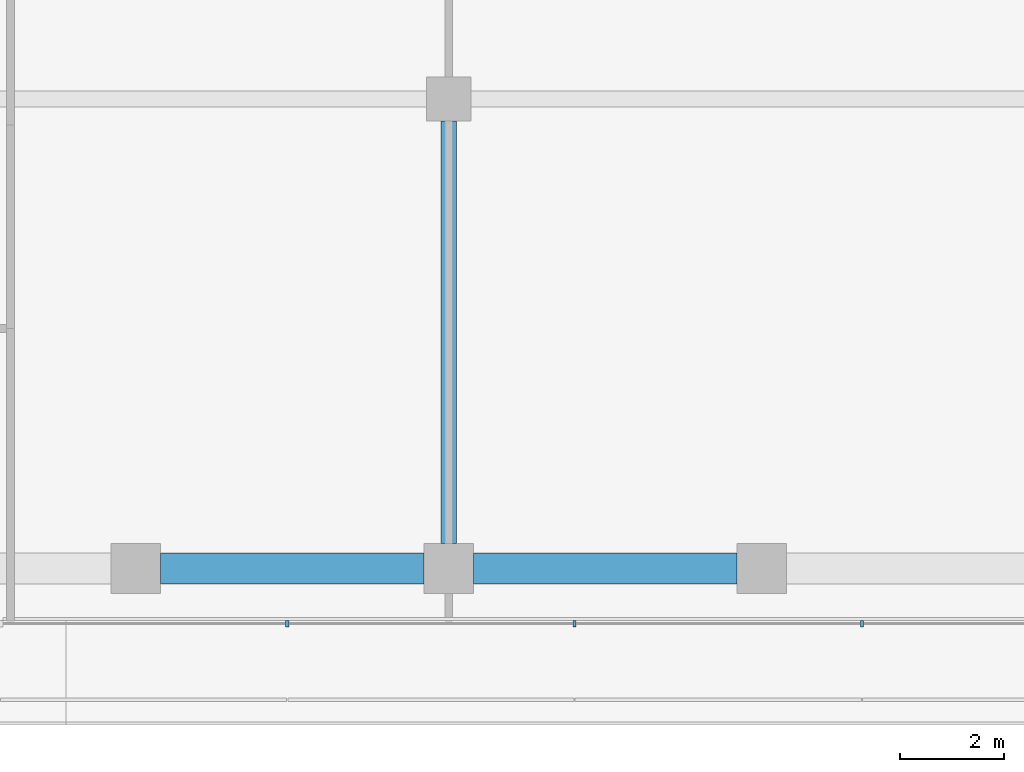
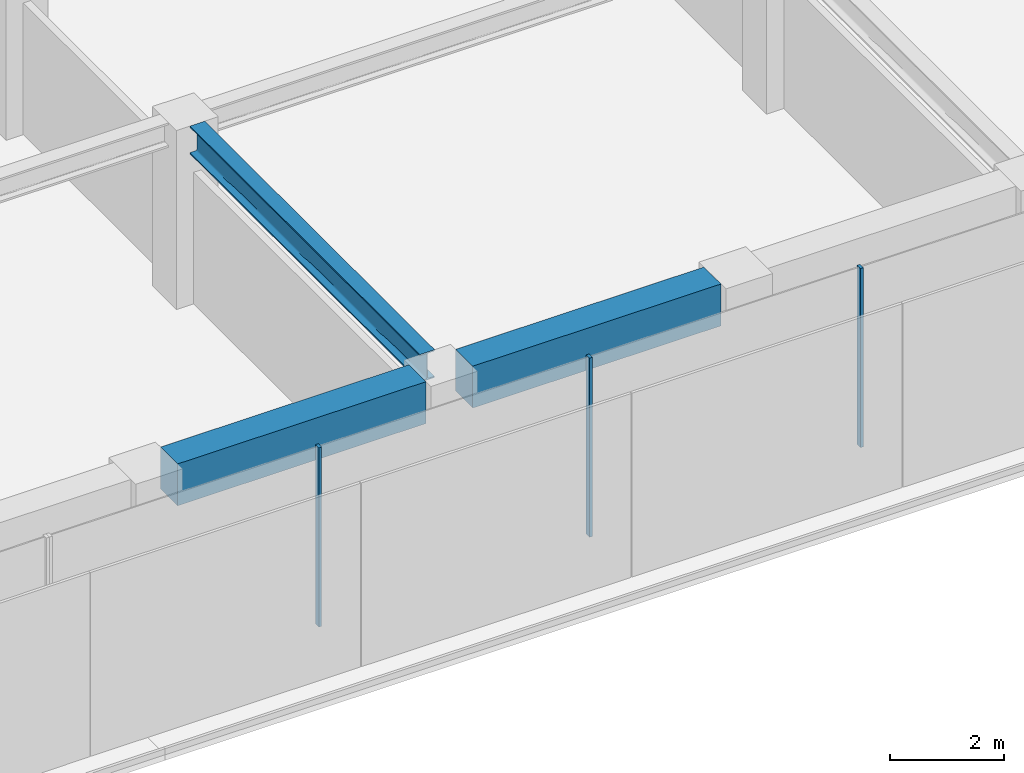
# One storey, part 6 of 28: 3 beams, 3 members, 1 element without a shape of its own.
"""IFC4 building model written with IfcOpenShell, lengths in metres."""

from ifc_helpers import new_model, si_unit, direction, frame, origin, origin_2d, place, context, subcontext, project, spatial, rectangle, i_section, extrude, material, layer, layer_set, material_profile, profile_set, type_object, element, aggregate, save


model = new_model("IFC4")

# Units and contexts
model_context = context("Model", 3, precision=1e-05, world=origin(), true_north=direction((0.0, 1.0)))
body_context = subcontext(model_context, "Body", "Model", "MODEL_VIEW")
ifc_project = project(units=[si_unit("LENGTHUNIT", "METRE"), si_unit("AREAUNIT", "SQUARE_METRE"), si_unit("VOLUMEUNIT", "CUBIC_METRE"), si_unit("PLANEANGLEUNIT", "RADIAN"), si_unit("MASSUNIT", "GRAM", prefix="KILO")], contexts=[model_context])

# Site, building, storey
site_placement = place(None, origin())
site = spatial("IfcSite", under=ifc_project, at=site_placement, CompositionType="ELEMENT")
building_placement = place(site_placement, origin())
building = spatial("IfcBuilding", under=site, at=building_placement, Name="Welwitschia Terrace Campus", CompositionType="ELEMENT")
storey_placement = place(building_placement, frame((0.0, 0.0, 54.199951171875)))
storey = spatial("IfcBuildingStorey", under=building, at=storey_placement, Name="L12", CompositionType="ELEMENT", Elevation=54.199951171875)

# Curtain wall, members
ifc_material_1 = material(Name="Bronze anodised aluminium", Category="aluminium")
ifc_layer = layer(ifc_material_1, 0.1201171875)
ifc_layer_set = layer_set([ifc_layer], Name="Bronze anodised aluminium")
curtain_wall_type = type_object("IfcCurtainWallType", Name="Curtain wall CW2 tower 6000", PredefinedType="NOTDEFINED", material=ifc_layer_set)
curtain_wall_placement = place(storey_placement, origin())
curtain_wall = element("IfcCurtainWall", 1, at=curtain_wall_placement, inside=storey, type_object=curtain_wall_type, Name="CW L12.4.0", PredefinedType="NOTDEFINED")
ifc_material_2 = material(Name="Bronze anodised aluminium", Category="aluminium")
ifc_material_profile_1 = material_profile(ifc_material_2, rectangle(XDim=0.1201171875, YDim=0.06005859375, at=origin_2d()))
ifc_profile_set_1 = profile_set([ifc_material_profile_1], Name="Bronze anodised aluminium")
member_type = type_object("IfcMemberType", Name="Mullion 60x120", PredefinedType="MULLION", material=ifc_profile_set_1)
member_1_placement = place(storey_placement, frame((32.903564453125, -5.05810546875, 0.0), z_axis=(0.0, 0.0, 1.0), x_axis=(0.0, 1.0, 0.0)))
member_1 = element("IfcMember", 2, at=member_1_placement, type_object=member_type, Name="Mullion L12.4.0.1", PredefinedType="MULLION", context=body_context, shape_type="SweptSolid", body=[
    extrude(rectangle(XDim=0.1201171875, YDim=0.06005859375, at=origin_2d()), origin(), (0.0, 0.0, 1.0), 3.85009765625),
])
member_2_placement = place(storey_placement, frame((38.41064453125, -5.05810546875, 0.0), z_axis=(0.0, 0.0, 1.0), x_axis=(0.0, 1.0, 0.0)))
member_2 = element("IfcMember", 3, at=member_2_placement, type_object=member_type, Name="Mullion L12.4.0.2", PredefinedType="MULLION", context=body_context, shape_type="SweptSolid", body=[
    extrude(rectangle(XDim=0.1201171875, YDim=0.06005859375, at=origin_2d()), origin(), (0.0, 0.0, 1.0), 3.85009765625),
])
member_3_placement = place(storey_placement, frame((43.91748046875, -5.05810546875, 0.0), z_axis=(0.0, 0.0, 1.0), x_axis=(0.0, 1.0, 0.0)))
member_3 = element("IfcMember", 4, at=member_3_placement, type_object=member_type, Name="Mullion L12.4.0.3", PredefinedType="MULLION", context=body_context, shape_type="SweptSolid", body=[
    extrude(rectangle(XDim=0.1201171875, YDim=0.06005859375, at=origin_2d()), origin(), (0.0, 0.0, 1.0), 3.85009765625),
])
aggregate(curtain_wall, [member_1, member_2, member_3])

# Beams
ifc_material_3 = material(Name="Steel S355", Category="steel")
ifc_material_profile_2 = material_profile(ifc_material_3, i_section(OverallWidth=0.300048828125, OverallDepth=0.60009765625, WebThickness=0.015380859375, FlangeThickness=0.030029296875, FilletRadius=0.027099609375, at=origin_2d()))
ifc_profile_set_2 = profile_set([ifc_material_profile_2], Name="Steel S355")
beam_type_1 = type_object("IfcBeamType", Name="Primary beam HE 600 B", PredefinedType="BEAM", material=ifc_profile_set_2)
beam_placement = place(storey_placement, frame((36.0, -3.5244140625, 3.550048828125), z_axis=(0.0, 1.0, 0.0), x_axis=(-1.0, 0.0, 0.0)))
element("IfcBeam", 5, at=beam_placement, inside=storey, type_object=beam_type_1, Name="Primary beam PB2", PredefinedType="BEAM", context=body_context, shape_type="SweptSolid", body=[
    extrude(i_section(OverallWidth=0.300048828125, OverallDepth=0.60009765625, WebThickness=0.015380859375, FlangeThickness=0.030029296875, FilletRadius=0.027099609375, at=origin_2d()), origin(), (0.0, 0.0, 1.0), 8.098876953125),
])
ifc_material_4 = material(Name="Concrete C60/75", Category="concrete")
ifc_material_profile_3 = material_profile(ifc_material_4, rectangle(XDim=0.60009765625, YDim=0.89990234375, at=origin_2d()))
ifc_profile_set_3 = profile_set([ifc_material_profile_3], Name="Concrete C60/75")
beam_type_2 = type_object("IfcBeamType", Name="Ring spandrel 600x900", PredefinedType="SPANDREL", material=ifc_profile_set_3)
for number, where, z_axis, x_axis, name in (
    (6, (30.4755859375, -4.0, 3.400146484375), (1.0, 0.0, 0.0), (0.0, 1.0, 0.0), "Spandrel SP2"),
    (7, (36.4755859375, -4.0, 3.400146484375), (1.0, 0.0, 0.0), (0.0, 1.0, 0.0), "Spandrel SP2"),
):
    element("IfcBeam", number, at=place(storey_placement, frame(where, z_axis=z_axis, x_axis=x_axis)), inside=storey, type_object=beam_type_2, Name=name, PredefinedType="SPANDREL", context=body_context, shape_type="SweptSolid", body=[
        extrude(rectangle(XDim=0.60009765625, YDim=0.89990234375, at=origin_2d()), origin(), (0.0, 0.0, 1.0), 5.048828125),
    ])

save(model, "model.ifc")
